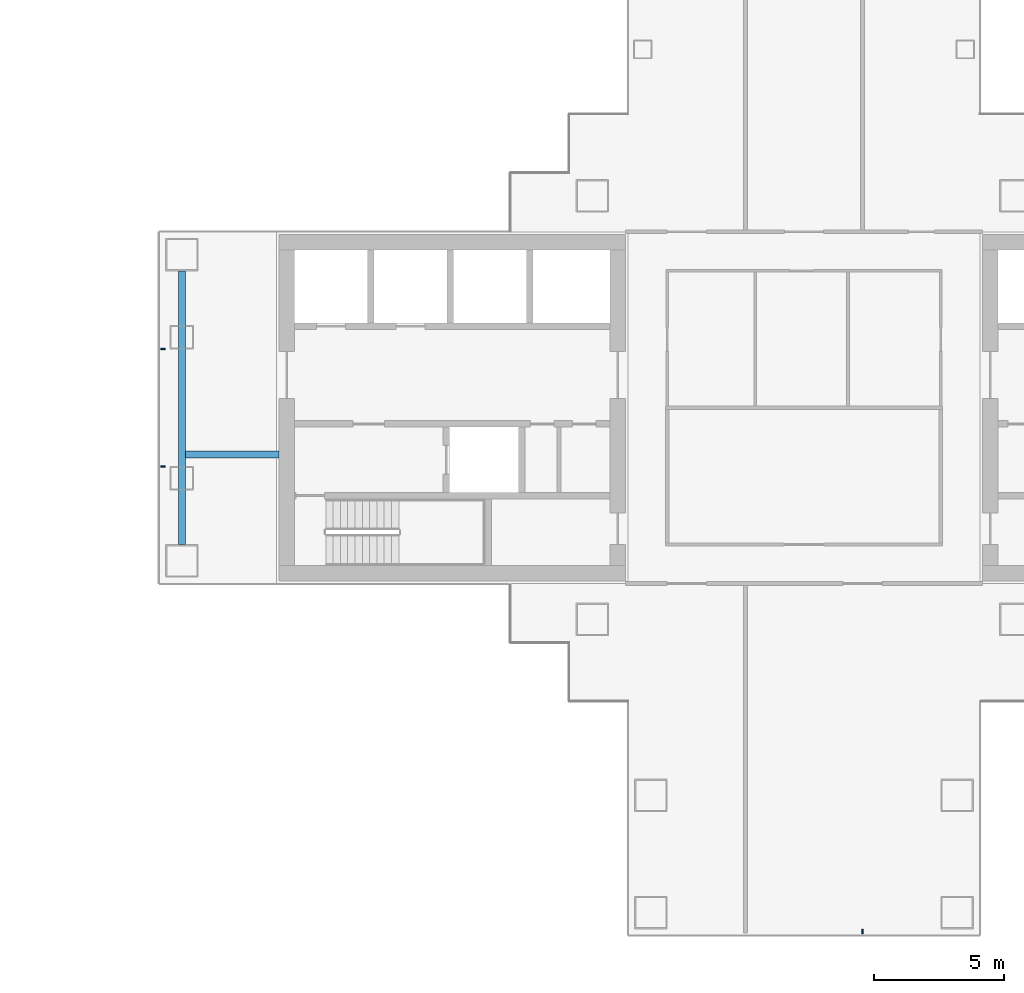
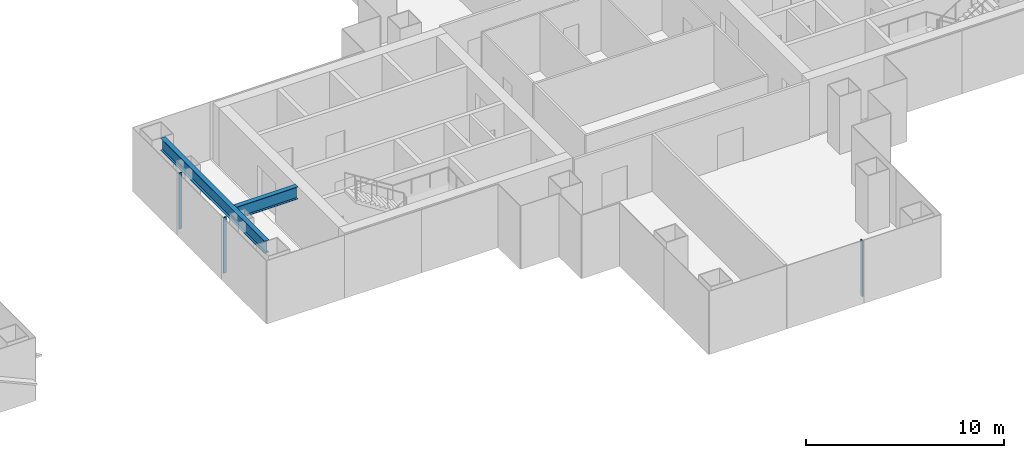
# One storey, part 6 of 18: 3 members, 2 beams, 2 elements without a shape of their own.
"""IFC4 building model written with IfcOpenShell, lengths in metres."""

from ifc_helpers import new_model, si_unit, direction, frame, origin, origin_2d, place, context, subcontext, project, spatial, rectangle, i_section, extrude, material, layer, layer_set, material_profile, profile_set, type_object, element, aggregate, save


model = new_model("IFC4")

# Units and contexts
model_context = context("Model", 3, precision=1e-05, world=origin(), true_north=direction((0.0, 1.0)))
body_context = subcontext(model_context, "Body", "Model", "MODEL_VIEW")
ifc_project = project(units=[si_unit("LENGTHUNIT", "METRE"), si_unit("AREAUNIT", "SQUARE_METRE"), si_unit("VOLUMEUNIT", "CUBIC_METRE"), si_unit("PLANEANGLEUNIT", "RADIAN"), si_unit("MASSUNIT", "GRAM", prefix="KILO")], contexts=[model_context])

# Site, building, storey
site_placement = place(None, origin())
site = spatial("IfcSite", under=ifc_project, at=site_placement, CompositionType="ELEMENT")
building_placement = place(site_placement, origin())
building = spatial("IfcBuilding", under=site, at=building_placement, Name="Shamsa Quay Exchange Towers", CompositionType="ELEMENT")
storey_placement = place(building_placement, frame((0.0, 0.0, 117.0)))
storey = spatial("IfcBuildingStorey", under=building, at=storey_placement, Name="L27", CompositionType="ELEMENT", Elevation=117.0)

# Curtain wall, members
ifc_material_1 = material(Name="Aluminium EN AW-6063 T6, black anodised", Category="aluminium")
ifc_layer = layer(ifc_material_1, 0.280029296875)
ifc_layer_set = layer_set([ifc_layer], Name="CW-1 UNITISED VISION GLASS")
curtain_wall_type = type_object("IfcCurtainWallType", Name="CW-1 UNITISED VISION GLASS", PredefinedType="NOTDEFINED", material=ifc_layer_set)
curtain_wall_1_placement = place(storey_placement, origin())
curtain_wall_1 = element("IfcCurtainWall", 1, at=curtain_wall_1_placement, inside=storey, type_object=curtain_wall_type, Name="CW1 T2-END-V+ L27", PredefinedType="NOTDEFINED")
ifc_material_profile_1 = material_profile(ifc_material_1, rectangle(XDim=0.179931640625, YDim=0.06005859375, at=origin_2d()), Name="MU60x180")
ifc_profile_set_1 = profile_set([ifc_material_profile_1], Name="Aluminium EN AW-6063 T6, black anodised")
member_type = type_object("IfcMemberType", Name="CW1 MULLION 60x180", PredefinedType="MULLION", material=ifc_profile_set_1)
member_1_placement = place(storey_placement, frame((9.14990234375, 2.25, 0.0)))
member_1 = element("IfcMember", 2, at=member_1_placement, type_object=member_type, Name="CW1 mullion", PredefinedType="MULLION", context=body_context, shape_type="SweptSolid", body=[
    extrude(rectangle(XDim=0.179931640625, YDim=0.06005859375, at=origin_2d()), origin(), (0.0, 0.0, 1.0), 3.449951171875),
])
member_2_placement = place(storey_placement, frame((9.14990234375, -2.25, 0.0)))
member_2 = element("IfcMember", 3, at=member_2_placement, type_object=member_type, Name="CW1 mullion", PredefinedType="MULLION", context=body_context, shape_type="SweptSolid", body=[
    extrude(rectangle(XDim=0.179931640625, YDim=0.06005859375, at=origin_2d()), origin(), (0.0, 0.0, 1.0), 3.449951171875),
])
aggregate(curtain_wall_1, [member_1, member_2])

# Curtain wall, member
curtain_wall_2_placement = place(storey_placement, origin())
curtain_wall_2 = element("IfcCurtainWall", 4, at=curtain_wall_2_placement, inside=storey, type_object=curtain_wall_type, Name="CW1 T2-END-U- L27", PredefinedType="NOTDEFINED")
member_3_placement = place(storey_placement, frame((36.0, -20.10009765625, 0.0), z_axis=(0.0, 0.0, 1.0), x_axis=(0.0, 1.0, 0.0)))
member_3 = element("IfcMember", 5, at=member_3_placement, type_object=member_type, Name="CW1 mullion", PredefinedType="MULLION", context=body_context, shape_type="SweptSolid", body=[
    extrude(rectangle(XDim=0.179931640625, YDim=0.06005859375, at=origin_2d()), origin(), (0.0, 0.0, 1.0), 3.449951171875),
])
aggregate(curtain_wall_2, [member_3])

# Beams
ifc_material_2 = material(Name="Steel S355", Category="steel")
ifc_material_profile_2 = material_profile(ifc_material_2, i_section(OverallWidth=0.26611328125, OverallDepth=0.7578125, WebThickness=0.013916015625, FlangeThickness=0.019287109375, at=origin_2d()), Name="W30x108")
ifc_profile_set_2 = profile_set([ifc_material_profile_2], Name="Steel S355")
beam_type = type_object("IfcBeamType", Name="End-zone beam W30x108", PredefinedType="BEAM", material=ifc_profile_set_2)
beam_1_placement = place(storey_placement, frame((9.875, -5.25, 3.171142578125), z_axis=(0.0, 1.0, 0.0), x_axis=(-1.0, 0.0, 0.0)))
element("IfcBeam", 6, at=beam_1_placement, inside=storey, type_object=beam_type, Name="End beam T2 V+ end zone L27", PredefinedType="BEAM", context=body_context, shape_type="SweptSolid", body=[
    extrude(i_section(OverallWidth=0.26611328125, OverallDepth=0.7578125, WebThickness=0.013916015625, FlangeThickness=0.019287109375, at=origin_2d()), origin(), (0.0, 0.0, 1.0), 10.5),
])
beam_2_placement = place(storey_placement, frame((13.60009765625, -1.800048828125, 3.171142578125), z_axis=(-1.0, 0.0, 0.0), x_axis=(0.0, -1.0, 0.0)))
element("IfcBeam", 7, at=beam_2_placement, inside=storey, type_object=beam_type, Name="Spine beam T2 V+ end zone L27", PredefinedType="BEAM", context=body_context, shape_type="SweptSolid", body=[
    extrude(i_section(OverallWidth=0.26611328125, OverallDepth=0.7578125, WebThickness=0.013916015625, FlangeThickness=0.019287109375, at=origin_2d()), origin(), (0.0, 0.0, 1.0), 3.592041015625),
])

save(model, "model.ifc")
